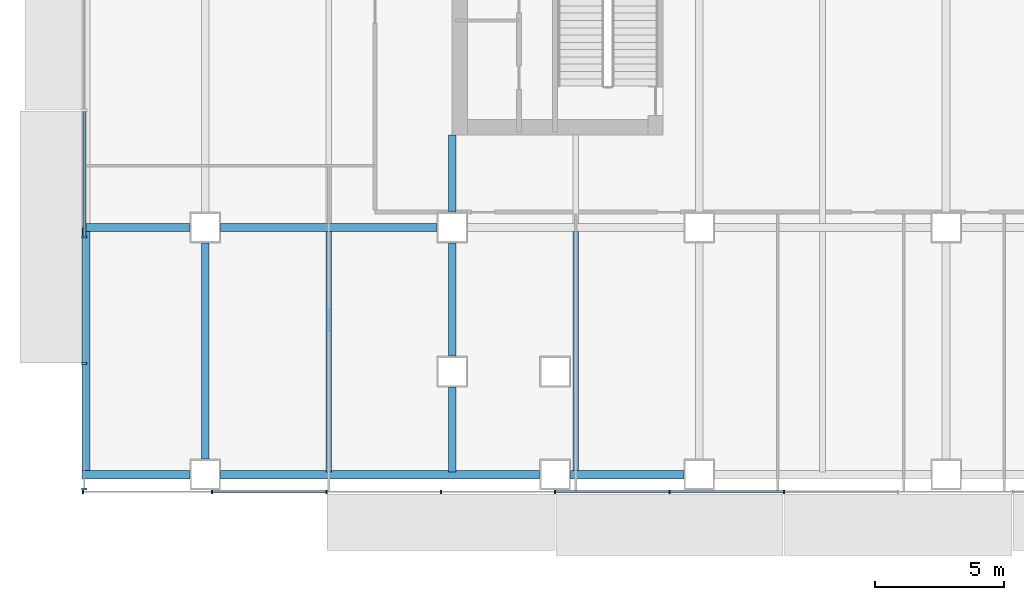
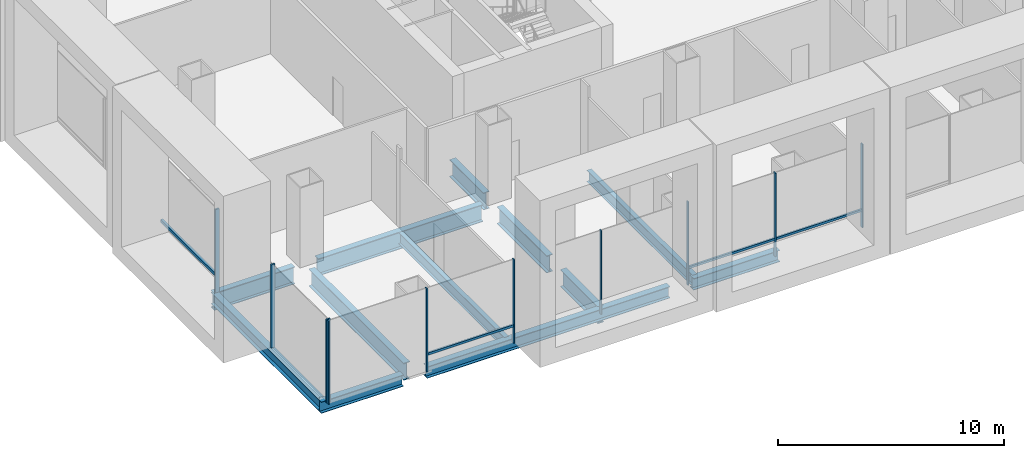
# One storey, part 2 of 23: 14 members, 12 beams, 2 elements without a shape of their own.
"""IFC4 building model written with IfcOpenShell, lengths in metres."""

from ifc_helpers import new_model, si_unit, direction, frame, origin, origin_2d, place, context, subcontext, project, spatial, rectangle, i_section, extrude, material, material_profile, profile_set, type_object, element, aggregate, save


model = new_model("IFC4")

# Units and contexts
model_context = context("Model", 3, precision=1e-05, world=origin(), true_north=direction((0.0, 1.0)))
body_context = subcontext(model_context, "Body", "Model", "MODEL_VIEW")
ifc_project = project(units=[si_unit("LENGTHUNIT", "METRE"), si_unit("AREAUNIT", "SQUARE_METRE"), si_unit("VOLUMEUNIT", "CUBIC_METRE"), si_unit("PLANEANGLEUNIT", "RADIAN"), si_unit("MASSUNIT", "GRAM", prefix="KILO")], contexts=[model_context])

# Site, building, storey
site_placement = place(None, origin())
site = spatial("IfcSite", under=ifc_project, at=site_placement, CompositionType="ELEMENT")
building_placement = place(site_placement, origin())
building = spatial("IfcBuilding", under=site, at=building_placement, Name="Cobrizo Arcos Hotel Tower", CompositionType="ELEMENT")
storey_placement = place(building_placement, frame((0.0, 0.0, 24.5)))
storey = spatial("IfcBuildingStorey", under=building, at=storey_placement, Name="L04", CompositionType="ELEMENT", Elevation=24.5)

# Curtain wall, members
ifc_material_1 = material(Name="Aluminium 6063-T6 anodised bronze", Category="aluminium")
curtain_wall_type_1 = type_object("IfcCurtainWallType", Name="CW-A guest facade", PredefinedType="NOTDEFINED", material=ifc_material_1)
curtain_wall_1_placement = place(storey_placement, origin())
curtain_wall_1 = element("IfcCurtainWall", 1, at=curtain_wall_1_placement, inside=storey, type_object=curtain_wall_type_1, Name="CW-A L04 S face", PredefinedType="NOTDEFINED")
ifc_material_profile_1 = material_profile(ifc_material_1, rectangle(XDim=0.14990234375, YDim=0.06005859375, at=origin_2d()), Name="CW-A mullion 150x60")
ifc_profile_set_1 = profile_set([ifc_material_profile_1], Name="Aluminium 6063-T6 anodised bronze")
member_type_1 = type_object("IfcMemberType", Name="CW-A mullion 150x60", PredefinedType="MULLION", material=ifc_profile_set_1)
member_1_placement = place(storey_placement, frame((-38.344970703125, -24.675048828125, 0.0), z_axis=(0.0, 0.0, 1.0), x_axis=(0.0, -1.0, 0.0)))
member_1 = element("IfcMember", 2, at=member_1_placement, type_object=member_type_1, Name="CW-A mullion 1", PredefinedType="MULLION", context=body_context, shape_type="SweptSolid", body=[
    extrude(rectangle(XDim=0.14990234375, YDim=0.06005859375, at=origin_2d()), origin(), (0.0, 0.0, 1.0), 4.5),
])
member_2_placement = place(storey_placement, frame((-33.333251953125, -24.675048828125, 0.0), z_axis=(0.0, 0.0, 1.0), x_axis=(0.0, -1.0, 0.0)))
member_2 = element("IfcMember", 3, at=member_2_placement, type_object=member_type_1, Name="CW-A mullion 2", PredefinedType="MULLION", context=body_context, shape_type="SweptSolid", body=[
    extrude(rectangle(XDim=0.14990234375, YDim=0.06005859375, at=origin_2d()), origin(), (0.0, 0.0, 1.0), 4.5),
])
member_3_placement = place(storey_placement, frame((-28.888916015625, -24.675048828125, 0.0), z_axis=(0.0, 0.0, 1.0), x_axis=(0.0, -1.0, 0.0)))
member_3 = element("IfcMember", 4, at=member_3_placement, type_object=member_type_1, Name="CW-A mullion 3", PredefinedType="MULLION", context=body_context, shape_type="SweptSolid", body=[
    extrude(rectangle(XDim=0.14990234375, YDim=0.06005859375, at=origin_2d()), origin(), (0.0, 0.0, 1.0), 4.5),
])
member_4_placement = place(storey_placement, frame((-24.4443359375, -24.675048828125, 0.0), z_axis=(0.0, 0.0, 1.0), x_axis=(0.0, -1.0, 0.0)))
member_4 = element("IfcMember", 5, at=member_4_placement, type_object=member_type_1, Name="CW-A mullion 4", PredefinedType="MULLION", context=body_context, shape_type="SweptSolid", body=[
    extrude(rectangle(XDim=0.14990234375, YDim=0.06005859375, at=origin_2d()), origin(), (0.0, 0.0, 1.0), 4.5),
])
member_5_placement = place(storey_placement, frame((-20.0, -24.675048828125, 0.0), z_axis=(0.0, 0.0, 1.0), x_axis=(0.0, -1.0, 0.0)))
member_5 = element("IfcMember", 6, at=member_5_placement, type_object=member_type_1, Name="CW-A mullion 5", PredefinedType="MULLION", context=body_context, shape_type="SweptSolid", body=[
    extrude(rectangle(XDim=0.14990234375, YDim=0.06005859375, at=origin_2d()), origin(), (0.0, 0.0, 1.0), 4.5),
])
member_6_placement = place(storey_placement, frame((-15.5556640625, -24.675048828125, 0.0), z_axis=(0.0, 0.0, 1.0), x_axis=(0.0, -1.0, 0.0)))
member_6 = element("IfcMember", 7, at=member_6_placement, type_object=member_type_1, Name="CW-A mullion 6", PredefinedType="MULLION", context=body_context, shape_type="SweptSolid", body=[
    extrude(rectangle(XDim=0.14990234375, YDim=0.06005859375, at=origin_2d()), origin(), (0.0, 0.0, 1.0), 4.5),
])
member_7_placement = place(storey_placement, frame((-11.111083984375, -24.675048828125, 0.0), z_axis=(0.0, 0.0, 1.0), x_axis=(0.0, -1.0, 0.0)))
member_7 = element("IfcMember", 8, at=member_7_placement, type_object=member_type_1, Name="CW-A mullion 7", PredefinedType="MULLION", context=body_context, shape_type="SweptSolid", body=[
    extrude(rectangle(XDim=0.14990234375, YDim=0.06005859375, at=origin_2d()), origin(), (0.0, 0.0, 1.0), 4.5),
])
ifc_material_profile_2 = material_profile(ifc_material_1, rectangle(XDim=0.10009765625, YDim=0.1201171875, at=origin_2d()), Name="CW-A transom 120x100")
ifc_profile_set_2 = profile_set([ifc_material_profile_2], Name="Aluminium 6063-T6 anodised bronze")
member_type_2 = type_object("IfcMemberType", Name="CW-A transom 120x100", PredefinedType="USERDEFINED", material=ifc_profile_set_2)
member_8_placement = place(storey_placement, frame((-33.30322265625, -24.675048828125, 0.929931640625), z_axis=(1.0, 0.0, 0.0), x_axis=(0.0, 1.0, 0.0)))
member_8 = element("IfcMember", 9, at=member_8_placement, type_object=member_type_2, Name="CW-A transom 253", ObjectType="TRANSOM", PredefinedType="USERDEFINED", context=body_context, shape_type="SweptSolid", body=[
    extrude(rectangle(XDim=0.10009765625, YDim=0.1201171875, at=origin_2d()), origin(), (0.0, 0.0, 1.0), 4.38427734375),
])
member_9_placement = place(storey_placement, frame((-19.969970703125, -24.675048828125, 0.929931640625), z_axis=(1.0, 0.0, 0.0), x_axis=(0.0, 1.0, 0.0)))
member_9 = element("IfcMember", 10, at=member_9_placement, type_object=member_type_2, Name="CW-A transom 256", ObjectType="TRANSOM", PredefinedType="USERDEFINED", context=body_context, shape_type="SweptSolid", body=[
    extrude(rectangle(XDim=0.10009765625, YDim=0.1201171875, at=origin_2d()), origin(), (0.0, 0.0, 1.0), 4.384521484375),
])
member_10_placement = place(storey_placement, frame((-15.525634765625, -24.675048828125, 0.929931640625), z_axis=(1.0, 0.0, 0.0), x_axis=(0.0, 1.0, 0.0)))
member_10 = element("IfcMember", 11, at=member_10_placement, type_object=member_type_2, Name="CW-A transom 257", ObjectType="TRANSOM", PredefinedType="USERDEFINED", context=body_context, shape_type="SweptSolid", body=[
    extrude(rectangle(XDim=0.10009765625, YDim=0.1201171875, at=origin_2d()), origin(), (0.0, 0.0, 1.0), 4.384521484375),
])
aggregate(curtain_wall_1, [member_1, member_2, member_3, member_4, member_5, member_6, member_7, member_8, member_9, member_10])

curtain_wall_type_2 = type_object("IfcCurtainWallType", Name="CW-B podium glazing", PredefinedType="NOTDEFINED", material=ifc_material_1)
curtain_wall_2_placement = place(storey_placement, origin())
curtain_wall_2 = element("IfcCurtainWall", 12, at=curtain_wall_2_placement, inside=storey, type_object=curtain_wall_type_2, Name="CW-B L04 W face", PredefinedType="NOTDEFINED")
ifc_material_profile_3 = material_profile(ifc_material_1, rectangle(XDim=0.199951171875, YDim=0.080078125, at=origin_2d()), Name="CW-B mullion 200x80")
ifc_profile_set_3 = profile_set([ifc_material_profile_3], Name="Aluminium 6063-T6 anodised bronze")
member_type_3 = type_object("IfcMemberType", Name="CW-B mullion 200x80", PredefinedType="MULLION", material=ifc_profile_set_3)
member_11_placement = place(storey_placement, frame((-38.300048828125, -14.760009765625, 0.0), z_axis=(0.0, 0.0, 1.0), x_axis=(-1.0, 0.0, 0.0)))
member_11 = element("IfcMember", 13, at=member_11_placement, type_object=member_type_3, Name="CW-B mullion 9", PredefinedType="MULLION", context=body_context, shape_type="SweptSolid", body=[
    extrude(rectangle(XDim=0.199951171875, YDim=0.080078125, at=origin_2d()), origin(), (0.0, 0.0, 1.0), 4.5),
])
member_12_placement = place(storey_placement, frame((-38.300048828125, -19.679931640625, 0.0), z_axis=(0.0, 0.0, 1.0), x_axis=(-1.0, 0.0, 0.0)))
member_12 = element("IfcMember", 14, at=member_12_placement, type_object=member_type_3, Name="CW-B mullion 10", PredefinedType="MULLION", context=body_context, shape_type="SweptSolid", body=[
    extrude(rectangle(XDim=0.199951171875, YDim=0.080078125, at=origin_2d()), origin(), (0.0, 0.0, 1.0), 4.5),
])
member_13_placement = place(storey_placement, frame((-38.300048828125, -24.56005859375, 0.0), z_axis=(0.0, 0.0, 1.0), x_axis=(-1.0, 0.0, 0.0)))
member_13 = element("IfcMember", 15, at=member_13_placement, type_object=member_type_3, Name="CW-B mullion 11", PredefinedType="MULLION", context=body_context, shape_type="SweptSolid", body=[
    extrude(rectangle(XDim=0.199951171875, YDim=0.080078125, at=origin_2d()), origin(), (0.0, 0.0, 1.0), 4.5),
])
ifc_material_profile_4 = material_profile(ifc_material_1, rectangle(XDim=0.1201171875, YDim=0.159912109375, at=origin_2d()), Name="CW-B transom 160x120")
ifc_profile_set_4 = profile_set([ifc_material_profile_4], Name="Aluminium 6063-T6 anodised bronze")
member_type_4 = type_object("IfcMemberType", Name="CW-B transom 160x120", PredefinedType="USERDEFINED", material=ifc_profile_set_4)
member_14_placement = place(storey_placement, frame((-38.300048828125, -9.8798828125, 0.89990234375), z_axis=(0.0, -1.0, 0.0), x_axis=(1.0, 0.0, 0.0)))
member_14 = element("IfcMember", 16, at=member_14_placement, type_object=member_type_4, Name="CW-B transom 249", ObjectType="TRANSOM", PredefinedType="USERDEFINED", context=body_context, shape_type="SweptSolid", body=[
    extrude(rectangle(XDim=0.1201171875, YDim=0.159912109375, at=origin_2d()), origin(), (0.0, 0.0, 1.0), 4.840087890625),
])
aggregate(curtain_wall_2, [member_11, member_12, member_13, member_14])

# Beams
ifc_material_2 = material(Name="Steel ASTM A992 Grade 50", Category="steel")
ifc_material_profile_5 = material_profile(ifc_material_2, i_section(OverallWidth=0.32763671875, OverallDepth=0.622314453125, WebThickness=0.015380859375, FlangeThickness=0.0244140625, at=origin_2d()), Name="W24X131")
ifc_profile_set_5 = profile_set([ifc_material_profile_5], Name="Steel ASTM A992 Grade 50")
beam_type_1 = type_object("IfcBeamType", Name="W24X131 edge beam", PredefinedType="BEAM", material=ifc_profile_set_5)
beam_1_placement = place(storey_placement, frame((-38.236083984375, -14.39990234375, -0.51123046875), z_axis=(0.0, -1.0, 0.0), x_axis=(1.0, 0.0, 0.0)))
element("IfcBeam", 17, at=beam_1_placement, inside=storey, type_object=beam_type_1, Name="Edge beam EB1, L04, no. 012", PredefinedType="BEAM", context=body_context, shape_type="SweptSolid", body=[
    extrude(i_section(OverallWidth=0.32763671875, OverallDepth=0.622314453125, WebThickness=0.015380859375, FlangeThickness=0.0244140625, at=origin_2d()), origin(), (0.0, 0.0, 1.0), 9.60009765625),
])
beam_2_placement = place(storey_placement, frame((-38.39990234375, -24.0, -0.51123046875), z_axis=(1.0, 0.0, 0.0), x_axis=(0.0, 1.0, 0.0)))
element("IfcBeam", 18, at=beam_2_placement, inside=storey, type_object=beam_type_1, Name="Edge beam EB1, L04, no. 013", PredefinedType="BEAM", context=body_context, shape_type="SweptSolid", body=[
    extrude(i_section(OverallWidth=0.32763671875, OverallDepth=0.622314453125, WebThickness=0.015380859375, FlangeThickness=0.0244140625, at=origin_2d()), origin(), (0.0, 0.0, 1.0), 4.199951171875),
])
ifc_material_profile_6 = material_profile(ifc_material_2, i_section(OverallWidth=0.32763671875, OverallDepth=0.622314453125, WebThickness=0.015380859375, FlangeThickness=0.0244140625, at=origin_2d()), Name="W24X131")
ifc_profile_set_6 = profile_set([ifc_material_profile_6], Name="Steel ASTM A992 Grade 50")
beam_type_2 = type_object("IfcBeamType", Name="W24X131 spandrel", PredefinedType="SPANDREL", material=ifc_profile_set_6)
beam_3_placement = place(storey_placement, frame((-33.0, -24.0, -0.51123046875), z_axis=(1.0, 0.0, 0.0), x_axis=(0.0, 1.0, 0.0)))
element("IfcBeam", 19, at=beam_3_placement, inside=storey, type_object=beam_type_2, Name="Spandrel beam W24X131, L04, no. 008", PredefinedType="SPANDREL", context=body_context, shape_type="SweptSolid", body=[
    extrude(i_section(OverallWidth=0.32763671875, OverallDepth=0.622314453125, WebThickness=0.015380859375, FlangeThickness=0.0244140625, at=origin_2d()), origin(), (0.0, 0.0, 1.0), 12.39990234375),
])
beam_4_placement = place(storey_placement, frame((-19.39990234375, -24.0, -0.51123046875), z_axis=(1.0, 0.0, 0.0), x_axis=(0.0, 1.0, 0.0)))
element("IfcBeam", 20, at=beam_4_placement, inside=storey, type_object=beam_type_2, Name="Spandrel beam W24X131, L04, no. 009", PredefinedType="SPANDREL", context=body_context, shape_type="SweptSolid", body=[
    extrude(i_section(OverallWidth=0.32763671875, OverallDepth=0.622314453125, WebThickness=0.015380859375, FlangeThickness=0.0244140625, at=origin_2d()), origin(), (0.0, 0.0, 1.0), 4.39990234375),
])
ifc_material_profile_7 = material_profile(ifc_material_2, i_section(OverallWidth=0.23046875, OverallDepth=0.6171875, WebThickness=0.01318359375, FlangeThickness=0.022216796875, at=origin_2d()), Name="W24X94")
ifc_profile_set_7 = profile_set([ifc_material_profile_7], Name="Steel ASTM A992 Grade 50")
beam_type_3 = type_object("IfcBeamType", Name="W24X94 podium joist", PredefinedType="JOIST", material=ifc_profile_set_7)
for number, where, z_axis, x_axis, name in (
    (21, (-28.800048828125, -23.909912109375, -0.508544921875), (0.0, 1.0, 0.0), (-1.0, 0.0, 0.0), "Podium joist PJ1, L04, no. 001"),
    (22, (-19.199951171875, -23.909912109375, -0.508544921875), (0.0, 1.0, 0.0), (-1.0, 0.0, 0.0), "Podium joist PJ1, L04, no. 006"),
):
    element("IfcBeam", number, at=place(storey_placement, frame(where, z_axis=z_axis, x_axis=x_axis)), inside=storey, type_object=beam_type_3, Name=name, PredefinedType="JOIST", context=body_context, shape_type="SweptSolid", body=[
        extrude(i_section(OverallWidth=0.23046875, OverallDepth=0.6171875, WebThickness=0.01318359375, FlangeThickness=0.022216796875, at=origin_2d()), origin(), (0.0, 0.0, 1.0), 9.356201171875),
    ])
ifc_material_profile_8 = material_profile(ifc_material_2, i_section(OverallWidth=0.307373046875, OverallDepth=0.927001953125, WebThickness=0.01953125, FlangeThickness=0.031982421875, at=origin_2d()), Name="W36X194")
ifc_profile_set_8 = profile_set([ifc_material_profile_8], Name="Steel ASTM A992 Grade 50")
beam_type_4 = type_object("IfcBeamType", Name="W36X194 podium girder", PredefinedType="BEAM", material=ifc_profile_set_8)
beam_5_placement = place(storey_placement, frame((-38.31005859375, -14.39990234375, -0.66357421875), z_axis=(1.0, 0.0, 0.0), x_axis=(0.0, 1.0, 0.0)))
element("IfcBeam", 23, at=beam_5_placement, inside=storey, type_object=beam_type_4, Name="Podium girder PG1, L04, no. 001", PredefinedType="BEAM", context=body_context, shape_type="SweptSolid", body=[
    extrude(i_section(OverallWidth=0.307373046875, OverallDepth=0.927001953125, WebThickness=0.01953125, FlangeThickness=0.031982421875, at=origin_2d()), origin(), (0.0, 0.0, 1.0), 4.110107421875),
])
for number, where, z_axis, x_axis, name in (
    (24, (-33.0, -14.39990234375, -0.66357421875), (1.0, 0.0, 0.0), (0.0, 1.0, 0.0), "Podium girder PG1, L04, no. 002"),
    (25, (-33.60009765625, -23.39990234375, -0.66357421875), (0.0, 1.0, 0.0), (-1.0, 0.0, 0.0), "Podium girder PG1, L04, no. 035"),
):
    element("IfcBeam", number, at=place(storey_placement, frame(where, z_axis=z_axis, x_axis=x_axis)), inside=storey, type_object=beam_type_4, Name=name, PredefinedType="BEAM", context=body_context, shape_type="SweptSolid", body=[
        extrude(i_section(OverallWidth=0.307373046875, OverallDepth=0.927001953125, WebThickness=0.01953125, FlangeThickness=0.031982421875, at=origin_2d()), origin(), (0.0, 0.0, 1.0), 8.39990234375),
    ])
beam_6_placement = place(storey_placement, frame((-24.0, -23.909912109375, -0.66357421875), z_axis=(0.0, 1.0, 0.0), x_axis=(-1.0, 0.0, 0.0)))
element("IfcBeam", 26, at=beam_6_placement, inside=storey, type_object=beam_type_4, Name="Podium girder PG1, L04, no. 040", PredefinedType="BEAM", context=body_context, shape_type="SweptSolid", body=[
    extrude(i_section(OverallWidth=0.307373046875, OverallDepth=0.927001953125, WebThickness=0.01953125, FlangeThickness=0.031982421875, at=origin_2d()), origin(), (0.0, 0.0, 1.0), 3.309814453125),
])
beam_7_placement = place(storey_placement, frame((-24.0, -19.39990234375, -0.66357421875), z_axis=(0.0, 1.0, 0.0), x_axis=(-1.0, 0.0, 0.0)))
element("IfcBeam", 27, at=beam_7_placement, inside=storey, type_object=beam_type_4, Name="Podium girder PG1, L04, no. 041", PredefinedType="BEAM", context=body_context, shape_type="SweptSolid", body=[
    extrude(i_section(OverallWidth=0.307373046875, OverallDepth=0.927001953125, WebThickness=0.01953125, FlangeThickness=0.031982421875, at=origin_2d()), origin(), (0.0, 0.0, 1.0), 4.39990234375),
])
beam_8_placement = place(storey_placement, frame((-24.0, -13.800048828125, -0.66357421875), z_axis=(0.0, 1.0, 0.0), x_axis=(-1.0, 0.0, 0.0)))
element("IfcBeam", 28, at=beam_8_placement, inside=storey, type_object=beam_type_4, Name="Podium girder PG1, L04, no. 042", PredefinedType="BEAM", context=body_context, shape_type="SweptSolid", body=[
    extrude(i_section(OverallWidth=0.307373046875, OverallDepth=0.927001953125, WebThickness=0.01953125, FlangeThickness=0.031982421875, at=origin_2d()), origin(), (0.0, 0.0, 1.0), 2.989990234375),
])

save(model, "model.ifc")
